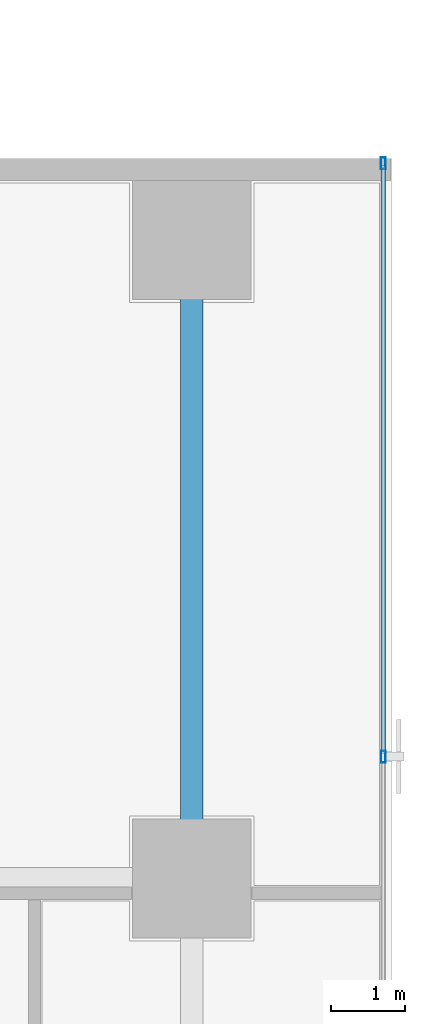
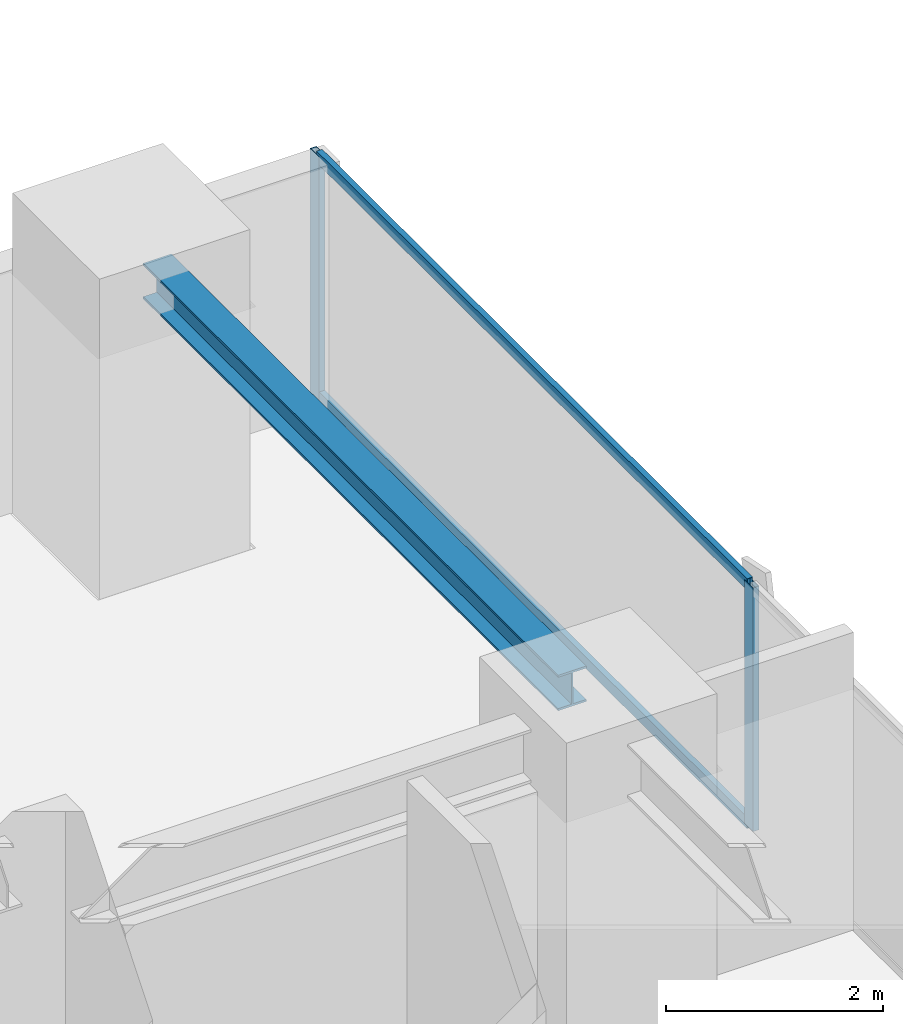
# One storey, part 23 of 35: 4 members, 1 beam, 1 element without a shape of its own.
"""IFC4 building model written with IfcOpenShell, lengths in metres."""

from ifc_helpers import new_model, si_unit, direction, frame, origin, origin_2d, place, context, subcontext, project, spatial, hollow_rectangle, i_section, extrude, source, transform, mapped, material, layer, layer_set, material_profile, profile_set, type_object, element, aggregate, save


model = new_model("IFC4")

# Units and contexts
model_context = context("Model", 3, precision=1e-05, world=origin(), true_north=direction((0.0, 1.0)))
body_context = subcontext(model_context, "Body", "Model", "MODEL_VIEW")
ifc_project = project(units=[si_unit("LENGTHUNIT", "METRE"), si_unit("AREAUNIT", "SQUARE_METRE"), si_unit("VOLUMEUNIT", "CUBIC_METRE"), si_unit("PLANEANGLEUNIT", "RADIAN"), si_unit("MASSUNIT", "GRAM", prefix="KILO")], contexts=[model_context])

# Site, building, storey
site_placement = place(None, origin())
site = spatial("IfcSite", under=ifc_project, at=site_placement, CompositionType="ELEMENT")
building_placement = place(site_placement, origin())
building = spatial("IfcBuilding", under=site, at=building_placement, Name="Sumidabori Civic Tower", CompositionType="ELEMENT")
storey_placement = place(building_placement, frame((0.0, 0.0, 102.800048828125)))
storey = spatial("IfcBuildingStorey", under=building, at=storey_placement, Name="L26", CompositionType="ELEMENT", Elevation=102.800048828125)

# Beam
ifc_material_1 = material(Name="Steel SN490", Category="steel")
ifc_material_profile_1 = material_profile(ifc_material_1, i_section(OverallWidth=0.300048828125, OverallDepth=0.39990234375, WebThickness=0.013427734375, FlangeThickness=0.02392578125, at=origin_2d()), Name="HE 400 B")
ifc_profile_set_1 = profile_set([ifc_material_profile_1], Name="Steel SN490")
beam_type = type_object("IfcBeamType", Name="BM-GIRD-400", PredefinedType="BEAM", material=ifc_profile_set_1)
shared_shape_1 = source(origin(), body_context, "Body", "SweptSolid", [
    extrude(i_section(OverallWidth=0.300048828125, OverallDepth=0.39990234375, WebThickness=0.013427734375, FlangeThickness=0.02392578125, at=origin_2d()), origin(), (0.0, 0.0, 1.0), 7.64013671875),
])
beam_placement = place(storey_placement, frame((22.800048828125, 10.679931640625, 3.159912109375), z_axis=(0.0, 1.0, 0.0), x_axis=(-1.0, 0.0, 0.0)))
element("IfcBeam", 1, at=beam_placement, inside=storey, type_object=beam_type, Name="Primary Girder L26 GY-42", PredefinedType="BEAM", context=body_context, shape_type="MappedRepresentation", body=[
    mapped(shared_shape_1, transform((0.0, 0.0, 0.0), x_axis=(1.0, 0.0, 0.0), y_axis=(0.0, 1.0, 0.0), z_axis=(0.0, 0.0, 1.0), scale=1.0)),
])

# Curtain wall, members
ifc_material_2 = material(Name="Anodised Bronze Aluminium AW-6063-T6", Category="aluminium")
ifc_layer = layer(ifc_material_2, 0.179931640625, Name="Anodised Bronze Aluminium AW-6063-T6")
ifc_layer_set = layer_set([ifc_layer], Name="Anodised Bronze Aluminium AW-6063-T6")
curtain_wall_type = type_object("IfcCurtainWallType", Name="CW-SYS-3", PredefinedType="NOTDEFINED", material=ifc_layer_set)
curtain_wall_placement = place(storey_placement, origin())
curtain_wall = element("IfcCurtainWall", 2, at=curtain_wall_placement, inside=storey, type_object=curtain_wall_type, Name="Curtain Wall CW:L26:R04", PredefinedType="NOTDEFINED")
ifc_material_profile_2 = material_profile(ifc_material_2, hollow_rectangle(XDim=0.06494140625, YDim=0.159912109375, WallThickness=0.0048828125, at=origin_2d()), Name="ALU MULLION 160x65")
ifc_profile_set_2 = profile_set([ifc_material_profile_2], Name="Anodised Bronze Aluminium AW-6063-T6")
member_type_1 = type_object("IfcMemberType", Name="CW-MUL-160", PredefinedType="MULLION", material=ifc_profile_set_2)
shared_shape_2 = source(origin(), body_context, "Body", "SweptSolid", [
    extrude(hollow_rectangle(XDim=0.06494140625, YDim=0.159912109375, WallThickness=0.0048828125, at=origin_2d()), origin(), (0.0, 0.0, 1.0), 2.739990234375),
])
member_1_placement = place(storey_placement, frame((25.3798828125, 11.842041015625, 0.0), z_axis=(0.0, 0.0, 1.0), x_axis=(-1.0, 0.0, 0.0)))
member_1 = element("IfcMember", 3, at=member_1_placement, type_object=member_type_1, Name="CW-3 mullion 5", PredefinedType="MULLION", context=body_context, shape_type="MappedRepresentation", body=[
    mapped(shared_shape_2, transform((0.0, 0.0, 0.0), x_axis=(1.0, 0.0, 0.0), y_axis=(0.0, 1.0, 0.0), z_axis=(0.0, 0.0, 1.0), scale=1.0)),
])
member_2_placement = place(storey_placement, frame((25.3798828125, 19.83740234375, 0.0), z_axis=(0.0, 0.0, 1.0), x_axis=(-1.0, 0.0, 0.0)))
member_2 = element("IfcMember", 4, at=member_2_placement, type_object=member_type_1, Name="CW-3 mullion 6", PredefinedType="MULLION", context=body_context, shape_type="MappedRepresentation", body=[
    mapped(shared_shape_2, transform((0.0, 0.0, 0.0), x_axis=(1.0, 0.0, 0.0), y_axis=(0.0, 1.0, 0.0), z_axis=(0.0, 0.0, 1.0), scale=1.0)),
])
ifc_material_profile_3 = material_profile(ifc_material_2, hollow_rectangle(XDim=0.06005859375, YDim=0.1298828125, WallThickness=0.0048828125, at=origin_2d()), Name="ALU TRANSOM 130x60")
ifc_profile_set_3 = profile_set([ifc_material_profile_3], Name="Anodised Bronze Aluminium AW-6063-T6")
member_type_2 = type_object("IfcMemberType", Name="CW-TRN-130", PredefinedType="USERDEFINED", material=ifc_profile_set_3)
shared_shape_3 = source(origin(), body_context, "Body", "SweptSolid", [
    extrude(hollow_rectangle(XDim=0.06005859375, YDim=0.1298828125, WallThickness=0.0048828125, at=origin_2d()), origin(), (0.0, 0.0, 1.0), 7.930419921875),
])
member_3_placement = place(storey_placement, frame((25.3798828125, 11.87451171875, 0.030029296875), z_axis=(0.0, 1.0, 0.0), x_axis=(-1.0, 0.0, 0.0)))
member_3 = element("IfcMember", 5, at=member_3_placement, type_object=member_type_2, Name="CW-3 transom 5.1", ObjectType="TRANSOM", PredefinedType="USERDEFINED", context=body_context, shape_type="MappedRepresentation", body=[
    mapped(shared_shape_3, transform((0.0, 0.0, 0.0), x_axis=(1.0, 0.0, 0.0), y_axis=(0.0, 1.0, 0.0), z_axis=(0.0, 0.0, 1.0), scale=1.0)),
])
member_4_placement = place(storey_placement, frame((25.3798828125, 11.87451171875, 2.7099609375), z_axis=(0.0, 1.0, 0.0), x_axis=(-1.0, 0.0, 0.0)))
member_4 = element("IfcMember", 6, at=member_4_placement, type_object=member_type_2, Name="CW-3 transom 5.2", ObjectType="TRANSOM", PredefinedType="USERDEFINED", context=body_context, shape_type="MappedRepresentation", body=[
    mapped(shared_shape_3, transform((0.0, 0.0, 0.0), x_axis=(1.0, 0.0, 0.0), y_axis=(0.0, 1.0, 0.0), z_axis=(0.0, 0.0, 1.0), scale=1.0)),
])
aggregate(curtain_wall, [member_1, member_2, member_3, member_4])

save(model, "model.ifc")
